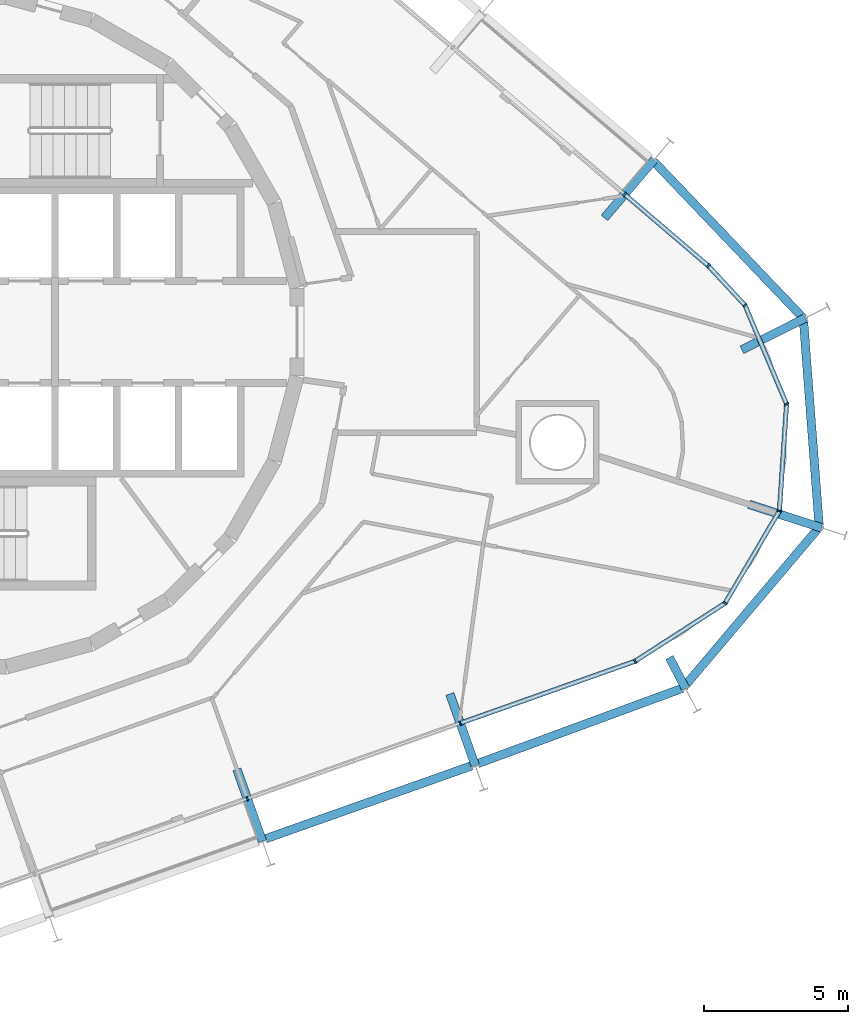
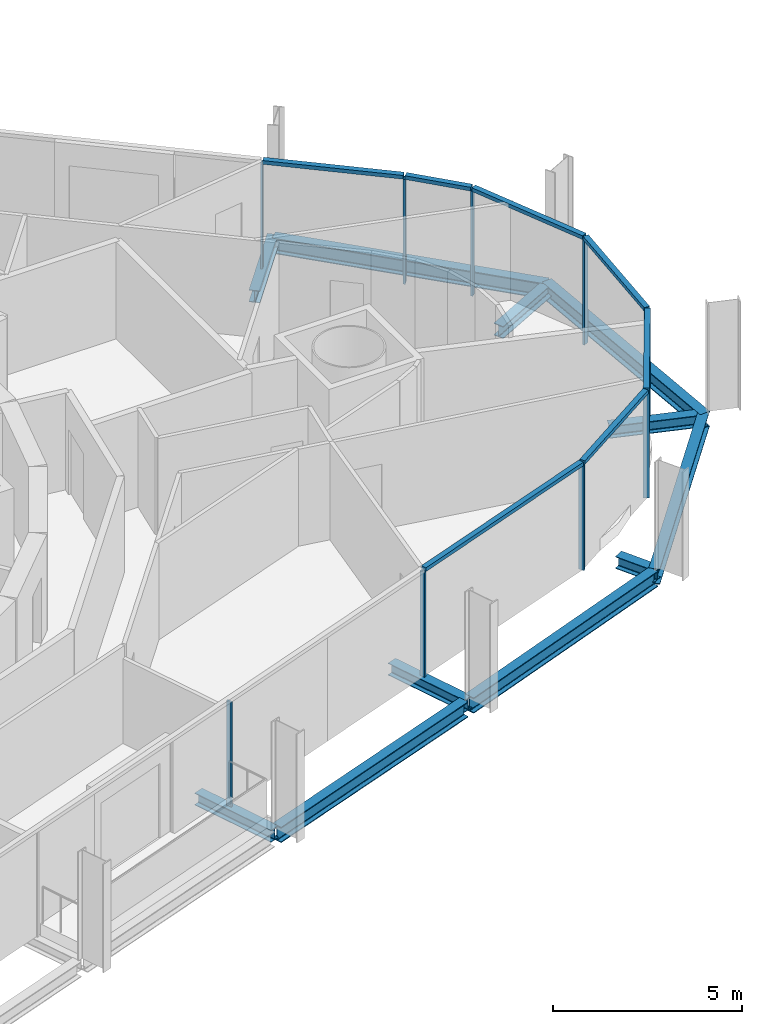
# One storey, part 5 of 17: 16 members, 11 beams, 3 elements without a shape of their own.
"""IFC4 building model written with IfcOpenShell, lengths in metres."""

from ifc_helpers import new_model, si_unit, direction, frame, origin, origin_2d, place, context, subcontext, project, spatial, rectangle, i_section, extrude, material, layer, layer_set, material_profile, profile_set, type_object, element, aggregate, save


model = new_model("IFC4")

# Units and contexts
model_context = context("Model", 3, precision=1e-05, world=origin(), true_north=direction((0.0, 1.0)))
body_context = subcontext(model_context, "Body", "Model", "MODEL_VIEW")
ifc_project = project(units=[si_unit("LENGTHUNIT", "METRE"), si_unit("AREAUNIT", "SQUARE_METRE"), si_unit("VOLUMEUNIT", "CUBIC_METRE"), si_unit("PLANEANGLEUNIT", "RADIAN"), si_unit("MASSUNIT", "GRAM", prefix="KILO")], contexts=[model_context])

# Site, building, storey
site_placement = place(None, origin())
site = spatial("IfcSite", under=ifc_project, at=site_placement, CompositionType="ELEMENT")
building_placement = place(site_placement, origin())
building = spatial("IfcBuilding", under=site, at=building_placement, Name="Spindle Arch Residences", CompositionType="ELEMENT")
storey_placement = place(building_placement, frame((0.0, 0.0, 155.199951171875)))
storey = spatial("IfcBuildingStorey", under=building, at=storey_placement, Name="L38", CompositionType="ELEMENT", Elevation=155.199951171875)

# Curtain wall, members
ifc_material_1 = material(Name="Aluminium bronze unitised frame with tinted glass", Category="aluminium")
ifc_layer_1 = layer(ifc_material_1, 0.159912109375)
ifc_layer_set_1 = layer_set([ifc_layer_1], Name="CW-D corner wall on the fillet arcs")
curtain_wall_type_1 = type_object("IfcCurtainWallType", Name="CW-D corner wall on the fillet arcs", PredefinedType="NOTDEFINED", material=ifc_layer_set_1)
curtain_wall_1_placement = place(storey_placement, origin())
curtain_wall_1 = element("IfcCurtainWall", 1, at=curtain_wall_1_placement, inside=storey, type_object=curtain_wall_type_1, Name="CW-D L38 run 1", PredefinedType="NOTDEFINED")
ifc_material_2 = material(Name="Aluminium bronze anodised mullion", Category="aluminium")
ifc_material_profile_1 = material_profile(ifc_material_2, rectangle(XDim=0.159912109375, YDim=0.06005859375, at=origin_2d()), Name="MU 60x160")
ifc_profile_set_1 = profile_set([ifc_material_profile_1], Name="Aluminium bronze anodised mullion")
member_type_1 = type_object("IfcMemberType", Name="Bronze mullion 60x160", PredefinedType="MULLION", material=ifc_profile_set_1)
member_1_placement = place(storey_placement, frame((17.326904296875, -13.609619140625, -0.3798828125), z_axis=(0.0, 0.0, 1.0), x_axis=(-0.333806859234, 0.942641491092, 0.0)))
member_1 = element("IfcMember", 2, at=member_1_placement, type_object=member_type_1, Name="CW-D mullion 00", PredefinedType="MULLION", context=body_context, shape_type="SweptSolid", body=[
    extrude(rectangle(XDim=0.159912109375, YDim=0.06005859375, at=origin_2d()), origin(), (0.0, 0.0, 1.0), 3.3798828125),
])
member_2_placement = place(storey_placement, frame((23.410400390625, -11.45556640625, -0.3798828125), z_axis=(0.0, 0.0, 1.0), x_axis=(-0.542197137778, 0.840251309898, 0.0)))
member_2 = element("IfcMember", 3, at=member_2_placement, type_object=member_type_1, Name="CW-D mullion 01", PredefinedType="MULLION", context=body_context, shape_type="SweptSolid", body=[
    extrude(rectangle(XDim=0.159912109375, YDim=0.06005859375, at=origin_2d()), origin(), (0.0, 0.0, 1.0), 3.3798828125),
])
member_3_placement = place(storey_placement, frame((26.541748046875, -9.434814453125, -0.3798828125), z_axis=(0.0, 0.0, 1.0), x_axis=(-0.86162915882, 0.507538365713, 0.0)))
member_3 = element("IfcMember", 4, at=member_3_placement, type_object=member_type_1, Name="CW-D mullion 02", PredefinedType="MULLION", context=body_context, shape_type="SweptSolid", body=[
    extrude(rectangle(XDim=0.159912109375, YDim=0.06005859375, at=origin_2d()), origin(), (0.0, 0.0, 1.0), 3.3798828125),
])
member_4_placement = place(storey_placement, frame((28.43310546875, -6.223876953125, -0.3798828125), z_axis=(0.0, 0.0, 1.0), x_axis=(-0.997762742461, 0.066854392204, 0.0)))
member_4 = element("IfcMember", 5, at=member_4_placement, type_object=member_type_1, Name="CW-D mullion 03", PredefinedType="MULLION", context=body_context, shape_type="SweptSolid", body=[
    extrude(rectangle(XDim=0.159912109375, YDim=0.06005859375, at=origin_2d()), origin(), (0.0, 0.0, 1.0), 3.3798828125),
])
member_5_placement = place(storey_placement, frame((28.682373046875, -2.50537109375, -0.3798828125), z_axis=(0.0, 0.0, 1.0), x_axis=(-0.921637549195, -0.388051836633, 0.0)))
member_5 = element("IfcMember", 6, at=member_5_placement, type_object=member_type_1, Name="CW-D mullion 04", PredefinedType="MULLION", context=body_context, shape_type="SweptSolid", body=[
    extrude(rectangle(XDim=0.159912109375, YDim=0.06005859375, at=origin_2d()), origin(), (0.0, 0.0, 1.0), 3.3798828125),
])
member_6_placement = place(storey_placement, frame((27.236083984375, 0.929443359375, -0.3798828125), z_axis=(0.0, 0.0, 1.0), x_axis=(-0.733334455983, -0.679868057543, 0.0)))
member_6 = element("IfcMember", 7, at=member_6_placement, type_object=member_type_1, Name="CW-D mullion 05", PredefinedType="MULLION", context=body_context, shape_type="SweptSolid", body=[
    extrude(rectangle(XDim=0.159912109375, YDim=0.06005859375, at=origin_2d()), origin(), (0.0, 0.0, 1.0), 3.3798828125),
])
member_7_placement = place(storey_placement, frame((25.960693359375, 2.30517578125, -0.3798828125), z_axis=(0.0, 0.0, 1.0), x_axis=(-0.64944804833, -0.7604059656, 0.0)))
member_7 = element("IfcMember", 8, at=member_7_placement, type_object=member_type_1, Name="CW-D mullion 06", PredefinedType="MULLION", context=body_context, shape_type="SweptSolid", body=[
    extrude(rectangle(XDim=0.159912109375, YDim=0.06005859375, at=origin_2d()), origin(), (0.0, 0.0, 1.0), 3.3798828125),
])

# Curtain wall, member
ifc_material_3 = material(Name="Aluminium bronze unitised frame with tinted glass", Category="aluminium")
ifc_layer_2 = layer(ifc_material_3, 0.159912109375)
ifc_layer_set_2 = layer_set([ifc_layer_2], Name="CW-C typical residential unitised wall")
curtain_wall_type_2 = type_object("IfcCurtainWallType", Name="CW-C typical residential unitised wall", PredefinedType="NOTDEFINED", material=ifc_layer_set_2)
curtain_wall_2_placement = place(storey_placement, origin())
curtain_wall_2 = element("IfcCurtainWall", 9, at=curtain_wall_2_placement, inside=storey, type_object=curtain_wall_type_2, Name="CW-C L38 run 2", PredefinedType="NOTDEFINED")
member_8_placement = place(storey_placement, frame((23.045654296875, 4.794677734375, -0.3798828125), z_axis=(0.0, 0.0, 1.0), x_axis=(-0.64944804833, -0.7604059656, 0.0)))
member_8 = element("IfcMember", 10, at=member_8_placement, type_object=member_type_1, Name="CW-C mullion 05", PredefinedType="MULLION", context=body_context, shape_type="SweptSolid", body=[
    extrude(rectangle(XDim=0.159912109375, YDim=0.06005859375, at=origin_2d()), origin(), (0.0, 0.0, 1.0), 3.3798828125),
])
aggregate(curtain_wall_2, [member_8])

curtain_wall_3_placement = place(storey_placement, origin())
curtain_wall_3 = element("IfcCurtainWall", 11, at=curtain_wall_3_placement, inside=storey, type_object=curtain_wall_type_2, Name="CW-C L38 run 6", PredefinedType="NOTDEFINED")
member_9_placement = place(storey_placement, frame((9.917724609375, -16.2333984375, -0.3798828125), z_axis=(0.0, 0.0, 1.0), x_axis=(-0.333806859234, 0.942641491092, 0.0)))
member_9 = element("IfcMember", 12, at=member_9_placement, type_object=member_type_1, Name="CW-C mullion 00", PredefinedType="MULLION", context=body_context, shape_type="SweptSolid", body=[
    extrude(rectangle(XDim=0.159912109375, YDim=0.06005859375, at=origin_2d()), origin(), (0.0, 0.0, 1.0), 3.3798828125),
])
aggregate(curtain_wall_3, [member_9])

# Member
ifc_material_4 = material(Name="Aluminium bronze anodised transom", Category="aluminium")
ifc_material_profile_2 = material_profile(ifc_material_4, rectangle(XDim=0.159912109375, YDim=0.1201171875, at=origin_2d()), Name="TR 120x160")
ifc_profile_set_2 = profile_set([ifc_material_profile_2], Name="Aluminium bronze anodised transom")
member_type_2 = type_object("IfcMemberType", Name="Bronze transom 120x160", PredefinedType="USERDEFINED", material=ifc_profile_set_2)
member_10_placement = place(storey_placement, frame((17.355224609375, -13.599609375, 3.06005859375), z_axis=(0.94265075566, 0.333780695748, 0.0), x_axis=(-0.333780695748, 0.94265075566, 0.0)))
member_10 = element("IfcMember", 13, at=member_10_placement, type_object=member_type_2, Name="CW-D transom 00", ObjectType="TRANSOM", PredefinedType="USERDEFINED", context=body_context, shape_type="SweptSolid", body=[
    extrude(rectangle(XDim=0.159912109375, YDim=0.1201171875, at=origin_2d()), origin(), (0.0, 0.0, 1.0), 6.3935546875),
])

member_11_placement = place(storey_placement, frame((23.435546875, -11.439208984375, 3.06005859375), z_axis=(0.840264358641, 0.542176915405, 0.0), x_axis=(-0.542176915405, 0.840264358641, 0.0)))
member_11 = element("IfcMember", 14, at=member_11_placement, type_object=member_type_2, Name="CW-D transom 01", ObjectType="TRANSOM", PredefinedType="USERDEFINED", context=body_context, shape_type="SweptSolid", body=[
    extrude(rectangle(XDim=0.159912109375, YDim=0.1201171875, at=origin_2d()), origin(), (0.0, 0.0, 1.0), 3.666748046875),
])

member_12_placement = place(storey_placement, frame((26.556884765625, -9.408935546875, 3.06005859375), z_axis=(0.507546689055, 0.861624255943, 0.0), x_axis=(-0.861624255943, 0.507546689055, 0.0)))
member_12 = element("IfcMember", 15, at=member_12_placement, type_object=member_type_2, Name="CW-D transom 02", ObjectType="TRANSOM", PredefinedType="USERDEFINED", context=body_context, shape_type="SweptSolid", body=[
    extrude(rectangle(XDim=0.159912109375, YDim=0.1201171875, at=origin_2d()), origin(), (0.0, 0.0, 1.0), 3.666748046875),
])

member_13_placement = place(storey_placement, frame((28.43505859375, -6.19384765625, 3.06005859375), z_axis=(0.066916740455, 0.997758562903, 0.0), x_axis=(-0.997758562903, 0.066916740455, 0.0)))
member_13 = element("IfcMember", 16, at=member_13_placement, type_object=member_type_2, Name="CW-D transom 03", ObjectType="TRANSOM", PredefinedType="USERDEFINED", context=body_context, shape_type="SweptSolid", body=[
    extrude(rectangle(XDim=0.159912109375, YDim=0.1201171875, at=origin_2d()), origin(), (0.0, 0.0, 1.0), 3.666748046875),
])

member_14_placement = place(storey_placement, frame((28.670654296875, -2.477783203125, 3.06005859375), z_axis=(-0.388045093438, 0.921640388361, 0.0), x_axis=(-0.921640388361, -0.388045093438, 0.0)))
member_14 = element("IfcMember", 17, at=member_14_placement, type_object=member_type_2, Name="CW-D transom 04", ObjectType="TRANSOM", PredefinedType="USERDEFINED", context=body_context, shape_type="SweptSolid", body=[
    extrude(rectangle(XDim=0.159912109375, YDim=0.1201171875, at=origin_2d()), origin(), (0.0, 0.0, 1.0), 3.666748046875),
])

member_15_placement = place(storey_placement, frame((27.2158203125, 0.951416015625, 3.06005859375), z_axis=(-0.679919851258, 0.733286435075, 0.0), x_axis=(-0.733286435075, -0.679919851258, 0.0)))
member_15 = element("IfcMember", 18, at=member_15_placement, type_object=member_type_2, Name="CW-D transom 05", ObjectType="TRANSOM", PredefinedType="USERDEFINED", context=body_context, shape_type="SweptSolid", body=[
    extrude(rectangle(XDim=0.159912109375, YDim=0.1201171875, at=origin_2d()), origin(), (0.0, 0.0, 1.0), 1.816162109375),
])

member_16_placement = place(storey_placement, frame((25.937744140625, 2.32470703125, 3.06005859375), z_axis=(-0.76037900371, 0.64947961532, 0.0), x_axis=(-0.64947961532, -0.76037900371, 0.0)))
member_16 = element("IfcMember", 19, at=member_16_placement, type_object=member_type_2, Name="CW-D transom 06", ObjectType="TRANSOM", PredefinedType="USERDEFINED", context=body_context, shape_type="SweptSolid", body=[
    extrude(rectangle(XDim=0.159912109375, YDim=0.1201171875, at=origin_2d()), origin(), (0.0, 0.0, 1.0), 3.773193359375),
])

aggregate(curtain_wall_1, [member_1, member_10, member_2, member_11, member_3, member_12, member_4, member_13, member_5, member_14, member_6, member_15, member_7, member_16])

# Beams
ifc_material_5 = material(Name="Steel S460ML, intumescent coating R 120", Category="steel")
ifc_material_profile_3 = material_profile(ifc_material_5, i_section(OverallWidth=0.300048828125, OverallDepth=0.5, WebThickness=0.014404296875, FlangeThickness=0.028076171875, FilletRadius=0.027099609375, at=origin_2d()), Name="HEB 500")
ifc_profile_set_3 = profile_set([ifc_material_profile_3], Name="Steel S460ML, intumescent coating R 120")
beam_type_1 = type_object("IfcBeamType", Name="Exoskeleton edge beam HEB 500", PredefinedType="BEAM", material=ifc_profile_set_3)
beam_1_placement = place(storey_placement, frame((10.551025390625, -17.63232421875, -0.6298828125), z_axis=(0.942633964352, 0.33382811333, 0.0), x_axis=(-0.33382811333, 0.942633964352, 0.0)))
element("IfcBeam", 20, at=beam_1_placement, inside=storey, type_object=beam_type_1, Name="Exoskeleton edge beam 1", PredefinedType="BEAM", context=body_context, shape_type="SweptSolid", body=[
    extrude(i_section(OverallWidth=0.300048828125, OverallDepth=0.5, WebThickness=0.014404296875, FlangeThickness=0.028076171875, FilletRadius=0.027099609375, at=origin_2d()), origin(), (0.0, 0.0, 1.0), 7.60009765625),
])
beam_2_placement = place(storey_placement, frame((17.927978515625, -15.01953125, -0.6298828125), z_axis=(0.938417721989, 0.345502791677, 0.0), x_axis=(-0.345502791677, 0.938417721989, 0.0)))
element("IfcBeam", 21, at=beam_2_placement, inside=storey, type_object=beam_type_1, Name="Exoskeleton edge beam 2", PredefinedType="BEAM", context=body_context, shape_type="SweptSolid", body=[
    extrude(i_section(OverallWidth=0.300048828125, OverallDepth=0.5, WebThickness=0.014404296875, FlangeThickness=0.028076171875, FilletRadius=0.027099609375, at=origin_2d()), origin(), (0.0, 0.0, 1.0), 7.59619140625),
])
for number, where, z_axis, x_axis, name in (
    (22, (25.08349609375, -12.3837890625, -0.6298828125), (0.645788487343, 0.763516358446, 0.0), (-0.763516358446, 0.645788487343, 0.0), "Exoskeleton edge beam 3"),
    (23, (29.823974609375, -6.856201171875, -0.6298828125), (-0.076078644635, 0.997101820192, 0.0), (-0.997101820192, -0.076078644635, 0.0), "Exoskeleton edge beam 4"),
):
    element("IfcBeam", number, at=place(storey_placement, frame(where, z_axis=z_axis, x_axis=x_axis)), inside=storey, type_object=beam_type_1, Name=name, PredefinedType="BEAM", context=body_context, shape_type="SweptSolid", body=[
        extrude(i_section(OverallWidth=0.300048828125, OverallDepth=0.5, WebThickness=0.014404296875, FlangeThickness=0.028076171875, FilletRadius=0.027099609375, at=origin_2d()), origin(), (0.0, 0.0, 1.0), 7.4033203125),
    ])
beam_3_placement = place(storey_placement, frame((29.263916015625, 0.484375, -0.6298828125), z_axis=(-0.690454167384, 0.72337614195, 0.0), x_axis=(-0.72337614195, -0.690454167384, 0.0)))
element("IfcBeam", 24, at=beam_3_placement, inside=storey, type_object=beam_type_1, Name="Exoskeleton edge beam 5", PredefinedType="BEAM", context=body_context, shape_type="SweptSolid", body=[
    extrude(i_section(OverallWidth=0.300048828125, OverallDepth=0.5, WebThickness=0.014404296875, FlangeThickness=0.028076171875, FilletRadius=0.027099609375, at=origin_2d()), origin(), (0.0, 0.0, 1.0), 7.534423828125),
])
ifc_material_6 = material(Name="Steel S460ML, intumescent coating R 120", Category="steel")
ifc_material_profile_4 = material_profile(ifc_material_6, i_section(OverallWidth=0.300048828125, OverallDepth=0.389892578125, WebThickness=0.010986328125, FlangeThickness=0.01904296875, FilletRadius=0.027099609375, at=origin_2d()), Name="HEA 400")
ifc_profile_set_4 = profile_set([ifc_material_profile_4], Name="Steel S460ML, intumescent coating R 120")
beam_type_2 = type_object("IfcBeamType", Name="Floor outrigger HEA 400", PredefinedType="BEAM", material=ifc_profile_set_4)
beam_4_placement = place(storey_placement, frame((10.44189453125, -17.71337890625, -0.574951171875), z_axis=(-0.333860785086, 0.942622393211, 0.0), x_axis=(-0.942622393211, -0.333860785086, 0.0)))
element("IfcBeam", 25, at=beam_4_placement, inside=storey, type_object=beam_type_2, Name="Floor outrigger 1", PredefinedType="BEAM", context=body_context, shape_type="SweptSolid", body=[
    extrude(i_section(OverallWidth=0.300048828125, OverallDepth=0.389892578125, WebThickness=0.010986328125, FlangeThickness=0.01904296875, FilletRadius=0.027099609375, at=origin_2d()), origin(), (0.0, 0.0, 1.0), 2.650146484375),
])
beam_5_placement = place(storey_placement, frame((17.85107421875, -15.089599609375, -0.574951171875), z_axis=(-0.333778924893, 0.942651382695, 0.0), x_axis=(-0.942651382695, -0.333778924893, 0.0)))
element("IfcBeam", 26, at=beam_5_placement, inside=storey, type_object=beam_type_2, Name="Floor outrigger 2", PredefinedType="BEAM", context=body_context, shape_type="SweptSolid", body=[
    extrude(i_section(OverallWidth=0.300048828125, OverallDepth=0.389892578125, WebThickness=0.010986328125, FlangeThickness=0.01904296875, FilletRadius=0.027099609375, at=origin_2d()), origin(), (0.0, 0.0, 1.0), 2.64990234375),
])
beam_6_placement = place(storey_placement, frame((25.166015625, -12.400146484375, -0.574951171875), z_axis=(-0.461536115739, 0.887121420026, 0.0), x_axis=(-0.887121420026, -0.461536115739, 0.0)))
element("IfcBeam", 27, at=beam_6_placement, inside=storey, type_object=beam_type_2, Name="Floor outrigger 3", PredefinedType="BEAM", context=body_context, shape_type="SweptSolid", body=[
    extrude(i_section(OverallWidth=0.300048828125, OverallDepth=0.389892578125, WebThickness=0.010986328125, FlangeThickness=0.01904296875, FilletRadius=0.027099609375, at=origin_2d()), origin(), (0.0, 0.0, 1.0), 1.215576171875),
])
beam_7_placement = place(storey_placement, frame((29.894287109375, -6.81005859375, -0.574951171875), z_axis=(-0.951419914018, 0.307896325424, 0.0), x_axis=(-0.307896325424, -0.951419914018, 0.0)))
element("IfcBeam", 28, at=beam_7_placement, inside=storey, type_object=beam_type_2, Name="Floor outrigger 4", PredefinedType="BEAM", context=body_context, shape_type="SweptSolid", body=[
    extrude(i_section(OverallWidth=0.300048828125, OverallDepth=0.389892578125, WebThickness=0.010986328125, FlangeThickness=0.01904296875, FilletRadius=0.027099609375, at=origin_2d()), origin(), (0.0, 0.0, 1.0), 2.64990234375),
])
beam_8_placement = place(storey_placement, frame((29.33740234375, 0.490478515625, -0.574951171875), z_axis=(-0.8937538876, -0.448557675668, 0.0), x_axis=(0.448557675668, -0.8937538876, 0.0)))
element("IfcBeam", 29, at=beam_8_placement, inside=storey, type_object=beam_type_2, Name="Floor outrigger 5", PredefinedType="BEAM", context=body_context, shape_type="SweptSolid", body=[
    extrude(i_section(OverallWidth=0.300048828125, OverallDepth=0.389892578125, WebThickness=0.010986328125, FlangeThickness=0.01904296875, FilletRadius=0.027099609375, at=origin_2d()), origin(), (0.0, 0.0, 1.0), 2.469482421875),
])
beam_9_placement = place(storey_placement, frame((24.065185546875, 5.988525390625, -0.574951171875), z_axis=(-0.64941704551, -0.760432443417, 0.0), x_axis=(0.760432443417, -0.64941704551, 0.0)))
element("IfcBeam", 30, at=beam_9_placement, inside=storey, type_object=beam_type_2, Name="Floor outrigger 6", PredefinedType="BEAM", context=body_context, shape_type="SweptSolid", body=[
    extrude(i_section(OverallWidth=0.300048828125, OverallDepth=0.389892578125, WebThickness=0.010986328125, FlangeThickness=0.01904296875, FilletRadius=0.027099609375, at=origin_2d()), origin(), (0.0, 0.0, 1.0), 2.64990234375),
])

save(model, "model.ifc")
